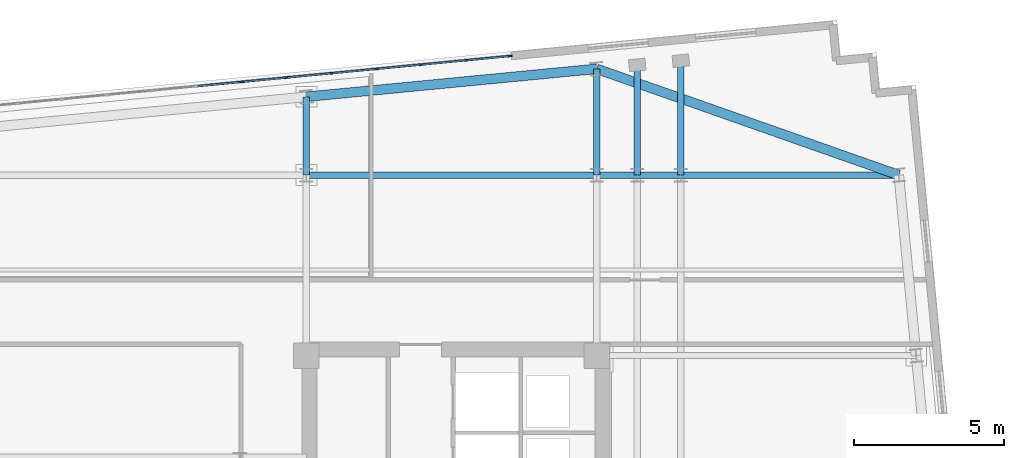
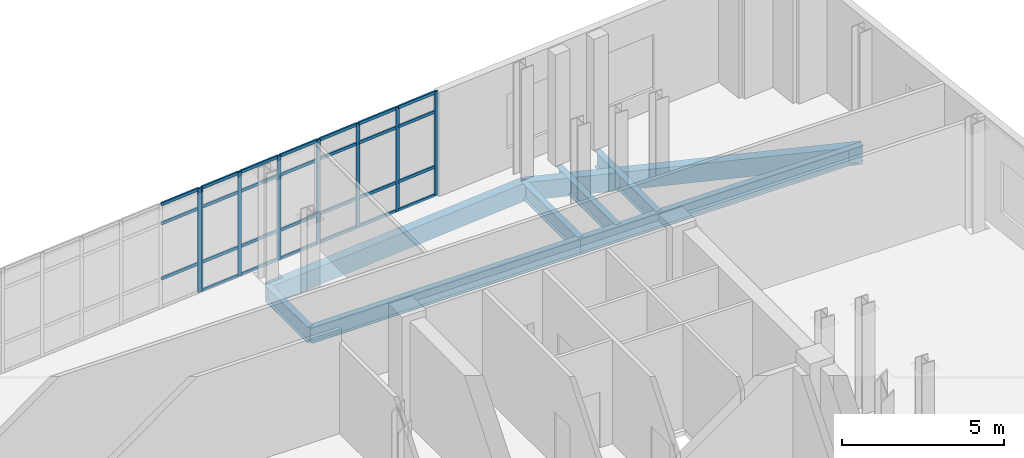
# One storey, part 4 of 11: 35 members, 8 beams, 2 elements without a shape of their own.
"""IFC4 building model written with IfcOpenShell, lengths in metres."""

import ifcopenshell
import ifcopenshell.guid

model = None  # the IFC model being written
_history = None  # IfcOwnerHistory: only IFC2X3 demands one
_inside = {}  # id of a spatial element -> (the spatial element, [elements in it])
_under = {}  # id of a project, library or spatial element -> (it, [spatial elements below it])
_declared = {}  # id of a project -> (the project, [libraries it declares])
_typed = {}  # id of a type object -> (the type object, [elements of that type])
_made_of = {}  # id of a material, layer set ... -> (it, [elements and type objects made of it])


def new_model(schema):
    """Start an empty IFC model of exactly this schema.

    Asked for "IFC4X3", IfcOpenShell would pick the latest addendum, in which some entities
    have other attributes; the version numbers below select the first issue.
    IFC2X3 requires an IfcOwnerHistory on every rooted entity: one is made here for all.
    """
    global model, _history
    if schema == "IFC4X3":
        model = ifcopenshell.file(schema_version=(4, 3, 0, 0))
    else:
        model = ifcopenshell.file(schema=schema)
    _inside.clear()
    _under.clear()
    _declared.clear()
    _typed.clear()
    _made_of.clear()
    _history = None
    if model.schema == "IFC2X3":
        org = make("IfcOrganization", Name="unknown")
        user = make(
            "IfcPersonAndOrganization",
            ThePerson=make("IfcPerson", FamilyName="unknown"),
            TheOrganization=org,
        )
        app = make(
            "IfcApplication",
            ApplicationDeveloper=org,
            Version="unknown",
            ApplicationFullName="unknown",
            ApplicationIdentifier="unknown",
        )
        _history = make(
            "IfcOwnerHistory",
            OwningUser=user,
            OwningApplication=app,
            ChangeAction="ADDED",
            CreationDate=0,
        )
    return model


def make(cls, **values):
    """One entity of the class cls with the attributes given. An attribute that is None is left unset."""
    return model.create_entity(
        cls, **{name: value for name, value in values.items() if value is not None}
    )


def rooted(cls, **values):
    """An entity with a GlobalId (a new one), such as an element, a storey or a relation."""
    return make(cls, GlobalId=ifcopenshell.guid.new(), OwnerHistory=_history, **values)


def si_unit(unit_type, name, prefix=None):
    """IfcSIUnit, for example si_unit("LENGTHUNIT", "METRE", prefix="MILLI")."""
    return make("IfcSIUnit", UnitType=unit_type, Prefix=prefix, Name=name)


def assignment(units):
    """IfcUnitAssignment: the units of a project."""
    return None if units is None else make("IfcUnitAssignment", Units=units)


def point(xyz):
    """IfcCartesianPoint."""
    return None if xyz is None else make("IfcCartesianPoint", Coordinates=xyz)


def direction(xyz):
    """IfcDirection."""
    return None if xyz is None else make("IfcDirection", DirectionRatios=xyz)


def frame(location, z_axis=None, x_axis=None):
    """IfcAxis2Placement3D, a coordinate frame: its origin and axes. An axis left out is left unset."""
    return make(
        "IfcAxis2Placement3D",
        Location=point(location),
        Axis=direction(z_axis),
        RefDirection=direction(x_axis),
    )


def frame_2d(location, x_axis=None):
    """IfcAxis2Placement2D, a coordinate frame in the plane: its origin and x axis."""
    return make(
        "IfcAxis2Placement2D", Location=point(location), RefDirection=direction(x_axis)
    )


def origin():
    """The frame at (0, 0, 0) with its axes left unset."""
    return frame((0.0, 0.0, 0.0))


def origin_2d():
    """The frame at (0, 0) in the plane with its x axis left unset."""
    return frame_2d((0.0, 0.0))


def place(relative_to, where):
    """IfcLocalPlacement: puts the frame where relative to a parent placement (None: the world)."""
    return make(
        "IfcLocalPlacement", PlacementRelTo=relative_to, RelativePlacement=where
    )


def context(
    kind, dimensions, precision=None, world=None, true_north=None, identifier=None
):
    """IfcGeometricRepresentationContext, for example the 3D "Model" context."""
    return make(
        "IfcGeometricRepresentationContext",
        ContextIdentifier=identifier,
        ContextType=kind,
        CoordinateSpaceDimension=dimensions,
        Precision=precision,
        WorldCoordinateSystem=world,
        TrueNorth=true_north,
    )


def subcontext(parent, identifier, kind, view, scale=None):
    """IfcGeometricRepresentationSubContext, for example "Body" below "Model"."""
    return make(
        "IfcGeometricRepresentationSubContext",
        ContextIdentifier=identifier,
        ContextType=kind,
        ParentContext=parent,
        TargetScale=scale,
        TargetView=view,
    )


def project(units=None, contexts=None):
    """IfcProject with its units and contexts."""
    return rooted(
        "IfcProject",
        Name="project",
        RepresentationContexts=contexts,
        UnitsInContext=assignment(units),
    )


def spatial(cls, under=None, at=None, **own):
    """A site, building, storey or space (cls), placed at a placement, below another one or the project."""
    s = rooted(cls, ObjectPlacement=at, **own)
    if under is not None:
        _under.setdefault(under.id(), (under, []))[1].append(s)
    return s


def profile(cls, at=None, kind="AREA", **sizes):
    """A parametric profile (cls). Its sizes go by their IFC names, for example OverallWidth=200.0."""
    return make(cls, ProfileType=kind, Position=at, **sizes)


def rectangle(**sizes):
    """IfcRectangleProfileDef."""
    return profile("IfcRectangleProfileDef", **sizes)


def i_section(**sizes):
    """IfcIShapeProfileDef."""
    return profile("IfcIShapeProfileDef", **sizes)


def extrude(swept, where, along, depth):
    """IfcExtrudedAreaSolid: the profile swept, set in the frame where, extruded along a direction by depth."""
    return make(
        "IfcExtrudedAreaSolid",
        SweptArea=swept,
        Position=where,
        ExtrudedDirection=direction(along),
        Depth=depth,
    )


def shape(context_of_items, identifier, shape_type, items):
    """IfcShapeRepresentation: the items that make up one representation, for example the "Body"."""
    return make(
        "IfcShapeRepresentation",
        ContextOfItems=context_of_items,
        RepresentationIdentifier=identifier,
        RepresentationType=shape_type,
        Items=items,
    )


def material(Name=None, Category=None):
    """IfcMaterial."""
    return make("IfcMaterial", Name=Name, Category=Category)


def layer(
    of_material, thickness, ventilated=None, Name=None, Category=None, Priority=None
):
    """IfcMaterialLayer: one layer of a wall or slab, of a material (None: an air gap)."""
    return make(
        "IfcMaterialLayer",
        Material=of_material,
        LayerThickness=thickness,
        IsVentilated=ventilated,
        Name=Name,
        Category=Category,
        Priority=Priority,
    )


def layer_set(layers, Name=None):
    """IfcMaterialLayerSet."""
    return make("IfcMaterialLayerSet", MaterialLayers=layers, LayerSetName=Name)


def material_profile(
    of_material, cross_section, Name=None, Category=None, Priority=None
):
    """IfcMaterialProfile: a cross section and its material."""
    return make(
        "IfcMaterialProfile",
        Name=Name,
        Material=of_material,
        Profile=cross_section,
        Priority=Priority,
        Category=Category,
    )


def profile_set(profiles, Name=None, composite=None):
    """IfcMaterialProfileSet."""
    return make(
        "IfcMaterialProfileSet",
        Name=Name,
        MaterialProfiles=profiles,
        CompositeProfile=composite,
    )


def made_of(thing, what):
    """Note that an element or type object is made of a material, layer set ...; save() writes the relation."""
    if what is not None:
        _made_of.setdefault(what.id(), (what, []))[1].append(thing)
    return thing


def type_object(cls, material=None, **own):
    """A type object (cls), such as IfcWallType, which elements share."""
    return made_of(rooted(cls, **own), material)


def element(
    cls,
    number,
    at=None,
    inside=None,
    cuts=None,
    type_object=None,
    material=None,
    context=None,
    identifier="Body",
    shape_type=None,
    held_by="IfcProductDefinitionShape",
    body=None,
    shapes=None,
    **own,
):
    """One element of the class cls, such as IfcWall. Its Tag is "e" and its number.

    at: its placement. inside: the storey or other place that contains it. cuts: it is an
    opening in that element (IfcRelVoidsElement). A single representation is given by context,
    identifier, shape_type and body (its items); several are given by shapes. held_by: the class
    of the entity that holds the representations. save() writes the other relations.
    """
    e = rooted(cls, Tag="e%d" % number, ObjectPlacement=at, **own)
    if body is not None:
        shapes = [shape(context, identifier, shape_type, body)]
    if shapes is not None:
        e.Representation = make(held_by, Representations=shapes)
    if inside is not None:
        _inside.setdefault(inside.id(), (inside, []))[1].append(e)
    if cuts is not None:
        rooted(
            "IfcRelVoidsElement", RelatingBuildingElement=cuts, RelatedOpeningElement=e
        )
    if type_object is not None:
        _typed.setdefault(type_object.id(), (type_object, []))[1].append(e)
    return made_of(e, material)


def aggregate(whole, parts):
    """IfcRelAggregates: a whole, such as a stair, and the parts it consists of."""
    return rooted("IfcRelAggregates", RelatingObject=whole, RelatedObjects=parts)


def save(model, path):
    """Write the relations noted so far, then the file.

    IfcRelAggregates (storeys below a building ...), IfcRelContainedInSpatialStructure (elements
    in a storey), IfcRelDefinesByType, IfcRelAssociatesMaterial and IfcRelDeclares: one each for
    every whole, place, type object, material and project.
    """
    for whole, parts in _under.values():
        aggregate(whole, parts)
    for where, things in _inside.values():
        rooted(
            "IfcRelContainedInSpatialStructure",
            RelatedElements=things,
            RelatingStructure=where,
        )
    for kind, things in _typed.values():
        rooted("IfcRelDefinesByType", RelatedObjects=things, RelatingType=kind)
    for what, things in _made_of.values():
        rooted("IfcRelAssociatesMaterial", RelatedObjects=things, RelatingMaterial=what)
    for by, libraries in _declared.values():
        rooted("IfcRelDeclares", RelatingContext=by, RelatedDefinitions=libraries)
    model.write(path)


model = new_model("IFC4")

# Units and contexts
model_context = context("Model", 3, precision=1e-05, world=origin(), true_north=direction((0.0, 1.0)))
body_context = subcontext(model_context, "Body", "Model", "MODEL_VIEW")
ifc_project = project(units=[si_unit("LENGTHUNIT", "METRE"), si_unit("AREAUNIT", "SQUARE_METRE"), si_unit("VOLUMEUNIT", "CUBIC_METRE"), si_unit("PLANEANGLEUNIT", "RADIAN"), si_unit("MASSUNIT", "GRAM", prefix="KILO")], contexts=[model_context])

# Site, building, storey
site_placement = place(None, origin())
site = spatial("IfcSite", under=ifc_project, at=site_placement, CompositionType="ELEMENT")
building_placement = place(site_placement, origin())
building = spatial("IfcBuilding", under=site, at=building_placement, Name="Velakula Bourse", CompositionType="ELEMENT")
storey_placement = place(building_placement, frame((0.0, 0.0, 282.75)))
storey = spatial("IfcBuildingStorey", under=building, at=storey_placement, Name="L77", CompositionType="ELEMENT", Elevation=282.75)

# Beams
ifc_material_1 = material(Name="Steel IS 2062 Grade 350 (E350)", Category="steel")
ifc_material_profile_1 = material_profile(ifc_material_1, i_section(OverallWidth=0.2099609375, OverallDepth=0.60009765625, WebThickness=0.011962890625, FlangeThickness=0.020751953125, at=origin_2d()), Name="Steel IS 2062 Grade 350 (E350)")
ifc_profile_set_1 = profile_set([ifc_material_profile_1], Name="Steel IS 2062 Grade 350 (E350)")
beam_type_1 = type_object("IfcBeamType", Name="BM-GRD-600L", PredefinedType="BEAM", material=ifc_profile_set_1)
beam_1_placement = place(storey_placement, frame((8.949951171875, 14.60009765625, -0.47998046875), z_axis=(1.0, 0.0, 0.0), x_axis=(0.0, 1.0, 0.0)))
element("IfcBeam", 1, at=beam_1_placement, inside=storey, type_object=beam_type_1, Name="L77 Fulcrum Grid Girder FLC-N3", PredefinedType="BEAM", context=body_context, shape_type="SweptSolid", body=[
    extrude(i_section(OverallWidth=0.2099609375, OverallDepth=0.60009765625, WebThickness=0.011962890625, FlangeThickness=0.020751953125, at=origin_2d()), origin(), (0.0, 0.0, 1.0), 9.650146484375),
])
beam_2_placement = place(storey_placement, frame((8.949951171875, 14.60009765625, -0.47998046875), z_axis=(0.0, 1.0, 0.0), x_axis=(-1.0, 0.0, 0.0)))
element("IfcBeam", 2, at=beam_2_placement, inside=storey, type_object=beam_type_1, Name="L77 Perimeter Tie Girder N3", PredefinedType="BEAM", context=body_context, shape_type="SweptSolid", body=[
    extrude(i_section(OverallWidth=0.2099609375, OverallDepth=0.60009765625, WebThickness=0.011962890625, FlangeThickness=0.020751953125, at=origin_2d()), origin(), (0.0, 0.0, 1.0), 2.6044921875),
])
beam_3_placement = place(storey_placement, frame((18.60009765625, 14.60009765625, -0.47998046875), z_axis=(0.0, 1.0, 0.0), x_axis=(-1.0, 0.0, 0.0)))
element("IfcBeam", 3, at=beam_3_placement, inside=storey, type_object=beam_type_1, Name="L77 Perimeter Tie Girder N4", PredefinedType="BEAM", context=body_context, shape_type="SweptSolid", body=[
    extrude(i_section(OverallWidth=0.2099609375, OverallDepth=0.60009765625, WebThickness=0.011962890625, FlangeThickness=0.020751953125, at=origin_2d()), origin(), (0.0, 0.0, 1.0), 3.53369140625),
])
beam_4_placement = place(storey_placement, frame((18.60009765625, 14.60009765625, -0.47998046875), z_axis=(1.0, 0.0, 0.0), x_axis=(0.0, 1.0, 0.0)))
element("IfcBeam", 4, at=beam_4_placement, inside=storey, type_object=beam_type_1, Name="L77 Perimeter Tie Girder E4", PredefinedType="BEAM", context=body_context, shape_type="SweptSolid", body=[
    extrude(i_section(OverallWidth=0.2099609375, OverallDepth=0.60009765625, WebThickness=0.011962890625, FlangeThickness=0.020751953125, at=origin_2d()), origin(), (0.0, 0.0, 1.0), 10.044921875),
])
beam_5_placement = place(storey_placement, frame((19.949951171875, 14.60009765625, -0.47998046875), z_axis=(0.0, 1.0, 0.0), x_axis=(-1.0, 0.0, 0.0)))
element("IfcBeam", 5, at=beam_5_placement, inside=storey, type_object=beam_type_1, Name="L77 Perimeter Tie Girder P07", PredefinedType="BEAM", context=body_context, shape_type="SweptSolid", body=[
    extrude(i_section(OverallWidth=0.2099609375, OverallDepth=0.60009765625, WebThickness=0.011962890625, FlangeThickness=0.020751953125, at=origin_2d()), origin(), (0.0, 0.0, 1.0), 3.66357421875),
])
beam_6_placement = place(storey_placement, frame((21.39990234375, 14.60009765625, -0.47998046875), z_axis=(0.0, 1.0, 0.0), x_axis=(-1.0, 0.0, 0.0)))
element("IfcBeam", 6, at=beam_6_placement, inside=storey, type_object=beam_type_1, Name="L77 Perimeter Tie Girder P08", PredefinedType="BEAM", context=body_context, shape_type="SweptSolid", body=[
    extrude(i_section(OverallWidth=0.2099609375, OverallDepth=0.60009765625, WebThickness=0.011962890625, FlangeThickness=0.020751953125, at=origin_2d()), origin(), (0.0, 0.0, 1.0), 3.80322265625),
])

# Curtain wall, member
ifc_material_2 = material(Name="Anodised bronze architectural aluminium", Category="aluminium")
ifc_layer = layer(ifc_material_2, 0.1298828125, Name="Anodised bronze architectural aluminium", Category="aluminium")
ifc_layer_set = layer_set([ifc_layer], Name="Anodised bronze architectural aluminium")
curtain_wall_type = type_object("IfcCurtainWallType", Name="CW-OB1", PredefinedType="NOTDEFINED", material=ifc_layer_set)
curtain_wall_1_placement = place(storey_placement, origin())
curtain_wall_1 = element("IfcCurtainWall", 7, at=curtain_wall_1_placement, inside=storey, type_object=curtain_wall_type, Name="L77 Public Observation Panoramic Curtain Wall B3", PredefinedType="NOTDEFINED")
ifc_material_profile_2 = material_profile(ifc_material_2, rectangle(XDim=0.06005859375, YDim=0.1298828125, at=origin_2d()), Name="Anodised bronze architectural aluminium")
ifc_profile_set_2 = profile_set([ifc_material_profile_2], Name="Anodised bronze architectural aluminium")
member_type_1 = type_object("IfcMemberType", Name="MUL-CW-OB1", PredefinedType="MULLION", material=ifc_profile_set_2)
member_1_placement = place(storey_placement, frame((6.767333984375, 17.697509765625, 0.0), z_axis=(0.0, 0.0, 1.0), x_axis=(-0.095844093769, 0.995396358085, 0.0)))
member_1 = element("IfcMember", 8, at=member_1_placement, type_object=member_type_1, Name="CW-OB1 mullion 7", PredefinedType="MULLION", context=body_context, shape_type="SweptSolid", body=[
    extrude(rectangle(XDim=0.06005859375, YDim=0.1298828125, at=origin_2d()), origin(), (0.0, 0.0, 1.0), 3.929931640625),
])

# Curtain wall, members
curtain_wall_2_placement = place(storey_placement, origin())
curtain_wall_2 = element("IfcCurtainWall", 9, at=curtain_wall_2_placement, inside=storey, type_object=curtain_wall_type, Name="L77 Public Observation Panoramic Curtain Wall B4", PredefinedType="NOTDEFINED")
member_2_placement = place(storey_placement, frame((6.8271484375, 17.703369140625, 0.0), z_axis=(0.0, 0.0, 1.0), x_axis=(-0.095844093769, 0.995396358085, 0.0)))
member_2 = element("IfcMember", 10, at=member_2_placement, type_object=member_type_1, Name="CW-OB1 mullion 1", PredefinedType="MULLION", context=body_context, shape_type="SweptSolid", body=[
    extrude(rectangle(XDim=0.06005859375, YDim=0.1298828125, at=origin_2d()), origin(), (0.0, 0.0, 1.0), 3.929931640625),
])
member_3_placement = place(storey_placement, frame((8.290283203125, 17.84423828125, 0.0), z_axis=(0.0, 0.0, 1.0), x_axis=(-0.095844093769, 0.995396358085, 0.0)))
member_3 = element("IfcMember", 11, at=member_3_placement, type_object=member_type_1, Name="CW-OB1 mullion 2", PredefinedType="MULLION", context=body_context, shape_type="SweptSolid", body=[
    extrude(rectangle(XDim=0.06005859375, YDim=0.1298828125, at=origin_2d()), origin(), (0.0, 0.0, 1.0), 3.929931640625),
])
member_4_placement = place(storey_placement, frame((9.783447265625, 17.988037109375, 0.0), z_axis=(0.0, 0.0, 1.0), x_axis=(-0.095844093769, 0.995396358085, 0.0)))
member_4 = element("IfcMember", 12, at=member_4_placement, type_object=member_type_1, Name="CW-OB1 mullion 3", PredefinedType="MULLION", context=body_context, shape_type="SweptSolid", body=[
    extrude(rectangle(XDim=0.06005859375, YDim=0.1298828125, at=origin_2d()), origin(), (0.0, 0.0, 1.0), 3.929931640625),
])
member_5_placement = place(storey_placement, frame((11.276611328125, 18.1318359375, 0.0), z_axis=(0.0, 0.0, 1.0), x_axis=(-0.095844093769, 0.995396358085, 0.0)))
member_5 = element("IfcMember", 13, at=member_5_placement, type_object=member_type_1, Name="CW-OB1 mullion 4", PredefinedType="MULLION", context=body_context, shape_type="SweptSolid", body=[
    extrude(rectangle(XDim=0.06005859375, YDim=0.1298828125, at=origin_2d()), origin(), (0.0, 0.0, 1.0), 3.929931640625),
])
member_6_placement = place(storey_placement, frame((12.76953125, 18.275634765625, 0.0), z_axis=(0.0, 0.0, 1.0), x_axis=(-0.095844093769, 0.995396358085, 0.0)))
member_6 = element("IfcMember", 14, at=member_6_placement, type_object=member_type_1, Name="CW-OB1 mullion 5", PredefinedType="MULLION", context=body_context, shape_type="SweptSolid", body=[
    extrude(rectangle(XDim=0.06005859375, YDim=0.1298828125, at=origin_2d()), origin(), (0.0, 0.0, 1.0), 3.929931640625),
])
member_7_placement = place(storey_placement, frame((14.2626953125, 18.41943359375, 0.0), z_axis=(0.0, 0.0, 1.0), x_axis=(-0.095844093769, 0.995396358085, 0.0)))
member_7 = element("IfcMember", 15, at=member_7_placement, type_object=member_type_1, Name="CW-OB1 mullion 6", PredefinedType="MULLION", context=body_context, shape_type="SweptSolid", body=[
    extrude(rectangle(XDim=0.06005859375, YDim=0.1298828125, at=origin_2d()), origin(), (0.0, 0.0, 1.0), 3.929931640625),
])
member_8_placement = place(storey_placement, frame((15.725830078125, 18.560302734375, 0.0), z_axis=(0.0, 0.0, 1.0), x_axis=(-0.095844093769, 0.995396358085, 0.0)))
member_8 = element("IfcMember", 16, at=member_8_placement, type_object=member_type_1, Name="CW-OB1 mullion 7", PredefinedType="MULLION", context=body_context, shape_type="SweptSolid", body=[
    extrude(rectangle(XDim=0.06005859375, YDim=0.1298828125, at=origin_2d()), origin(), (0.0, 0.0, 1.0), 3.929931640625),
])

# Beams
ifc_material_3 = material(Name="Precast concrete M45 (fck 45 MPa)", Category="concrete")
ifc_material_profile_3 = material_profile(ifc_material_3, rectangle(XDim=0.320068359375, YDim=0.679931640625, at=origin_2d()), Name="Precast concrete M45 (fck 45 MPa)")
ifc_profile_set_3 = profile_set([ifc_material_profile_3], Name="Precast concrete M45 (fck 45 MPa)")
beam_type_2 = type_object("IfcBeamType", Name="SPN-BRICK-680", PredefinedType="SPANDREL", material=ifc_profile_set_3)
beam_7_placement = place(storey_placement, frame((8.949951171875, 17.20458984375, -0.52001953125), z_axis=(0.99539623971, 0.095845323155, 0.0), x_axis=(-0.095845323155, 0.99539623971, 0.0)))
element("IfcBeam", 17, at=beam_7_placement, inside=storey, type_object=beam_type_2, Name="L77 Brick-Faced Precast Spandrel N3-N4", PredefinedType="SPANDREL", context=body_context, shape_type="SweptSolid", body=[
    extrude(rectangle(XDim=0.320068359375, YDim=0.679931640625, at=origin_2d()), origin(), (0.0, 0.0, 1.0), 9.69482421875),
])
beam_8_placement = place(storey_placement, frame((28.64501953125, 14.60009765625, -0.52001953125), z_axis=(-0.943331000058, 0.331853317491, 0.0), x_axis=(-0.331853317491, -0.943331000058, 0.0)))
element("IfcBeam", 18, at=beam_8_placement, inside=storey, type_object=beam_type_2, Name="L77 Brick-Faced Precast Spandrel E4-N4", PredefinedType="SPANDREL", context=body_context, shape_type="SweptSolid", body=[
    extrude(rectangle(XDim=0.320068359375, YDim=0.679931640625, at=origin_2d()), origin(), (0.0, 0.0, 1.0), 10.6484375),
])

# Member
ifc_material_profile_4 = material_profile(ifc_material_2, rectangle(XDim=0.06005859375, YDim=0.114990234375, at=origin_2d()), Name="Anodised bronze architectural aluminium")
ifc_profile_set_4 = profile_set([ifc_material_profile_4], Name="Anodised bronze architectural aluminium")
member_type_2 = type_object("IfcMemberType", Name="TRN-CW-OB1", PredefinedType="USERDEFINED", material=ifc_profile_set_4)
member_9_placement = place(storey_placement, frame((5.333984375, 17.5595703125, 1.10009765625), z_axis=(0.995389022244, 0.095920250187, 0.0), x_axis=(-0.095920250187, 0.995389022244, 0.0)))
member_9 = element("IfcMember", 19, at=member_9_placement, type_object=member_type_2, Name="CW-OB1 transom 6.2", ObjectType="TRANSOM", PredefinedType="USERDEFINED", context=body_context, shape_type="SweptSolid", body=[
    extrude(rectangle(XDim=0.06005859375, YDim=0.114990234375, at=origin_2d()), origin(), (0.0, 0.0, 1.0), 1.41015625),
])

member_10_placement = place(storey_placement, frame((5.333984375, 17.5595703125, 3.179931640625), z_axis=(0.995389022244, 0.095920250187, 0.0), x_axis=(-0.095920250187, 0.995389022244, 0.0)))
member_10 = element("IfcMember", 20, at=member_10_placement, type_object=member_type_2, Name="CW-OB1 transom 6.3", ObjectType="TRANSOM", PredefinedType="USERDEFINED", context=body_context, shape_type="SweptSolid", body=[
    extrude(rectangle(XDim=0.06005859375, YDim=0.114990234375, at=origin_2d()), origin(), (0.0, 0.0, 1.0), 1.41015625),
])

member_11_placement = place(storey_placement, frame((5.333984375, 17.5595703125, 3.89990234375), z_axis=(0.995389022244, 0.095920250187, 0.0), x_axis=(-0.095920250187, 0.995389022244, 0.0)))
member_11 = element("IfcMember", 21, at=member_11_placement, type_object=member_type_2, Name="CW-OB1 transom 6.4", ObjectType="TRANSOM", PredefinedType="USERDEFINED", context=body_context, shape_type="SweptSolid", body=[
    extrude(rectangle(XDim=0.06005859375, YDim=0.114990234375, at=origin_2d()), origin(), (0.0, 0.0, 1.0), 1.41015625),
])

aggregate(curtain_wall_1, [member_1, member_9, member_10, member_11])

member_12_placement = place(storey_placement, frame((6.85693359375, 17.706298828125, 0.030029296875), z_axis=(0.995405538909, 0.095748697689, 0.0), x_axis=(-0.095748697689, 0.995405538909, 0.0)))
member_12 = element("IfcMember", 22, at=member_12_placement, type_object=member_type_2, Name="CW-OB1 transom 1.1", ObjectType="TRANSOM", PredefinedType="USERDEFINED", context=body_context, shape_type="SweptSolid", body=[
    extrude(rectangle(XDim=0.06005859375, YDim=0.114990234375, at=origin_2d()), origin(), (0.0, 0.0, 1.0), 1.41015625),
])

member_13_placement = place(storey_placement, frame((6.85693359375, 17.706298828125, 1.10009765625), z_axis=(0.995405538909, 0.095748697689, 0.0), x_axis=(-0.095748697689, 0.995405538909, 0.0)))
member_13 = element("IfcMember", 23, at=member_13_placement, type_object=member_type_2, Name="CW-OB1 transom 1.2", ObjectType="TRANSOM", PredefinedType="USERDEFINED", context=body_context, shape_type="SweptSolid", body=[
    extrude(rectangle(XDim=0.06005859375, YDim=0.114990234375, at=origin_2d()), origin(), (0.0, 0.0, 1.0), 1.41015625),
])

member_14_placement = place(storey_placement, frame((6.85693359375, 17.706298828125, 3.179931640625), z_axis=(0.995405538909, 0.095748697689, 0.0), x_axis=(-0.095748697689, 0.995405538909, 0.0)))
member_14 = element("IfcMember", 24, at=member_14_placement, type_object=member_type_2, Name="CW-OB1 transom 1.3", ObjectType="TRANSOM", PredefinedType="USERDEFINED", context=body_context, shape_type="SweptSolid", body=[
    extrude(rectangle(XDim=0.06005859375, YDim=0.114990234375, at=origin_2d()), origin(), (0.0, 0.0, 1.0), 1.41015625),
])

member_15_placement = place(storey_placement, frame((6.85693359375, 17.706298828125, 3.89990234375), z_axis=(0.995405538909, 0.095748697689, 0.0), x_axis=(-0.095748697689, 0.995405538909, 0.0)))
member_15 = element("IfcMember", 25, at=member_15_placement, type_object=member_type_2, Name="CW-OB1 transom 1.4", ObjectType="TRANSOM", PredefinedType="USERDEFINED", context=body_context, shape_type="SweptSolid", body=[
    extrude(rectangle(XDim=0.06005859375, YDim=0.114990234375, at=origin_2d()), origin(), (0.0, 0.0, 1.0), 1.41015625),
])

member_16_placement = place(storey_placement, frame((8.320068359375, 17.84716796875, 0.030029296875), z_axis=(0.99540125991, 0.095793171836, 0.0), x_axis=(-0.095793171836, 0.99540125991, 0.0)))
member_16 = element("IfcMember", 26, at=member_16_placement, type_object=member_type_2, Name="CW-OB1 transom 2.1", ObjectType="TRANSOM", PredefinedType="USERDEFINED", context=body_context, shape_type="SweptSolid", body=[
    extrude(rectangle(XDim=0.06005859375, YDim=0.114990234375, at=origin_2d()), origin(), (0.0, 0.0, 1.0), 1.43994140625),
])

member_17_placement = place(storey_placement, frame((8.320068359375, 17.84716796875, 1.10009765625), z_axis=(0.99540125991, 0.095793171836, 0.0), x_axis=(-0.095793171836, 0.99540125991, 0.0)))
member_17 = element("IfcMember", 27, at=member_17_placement, type_object=member_type_2, Name="CW-OB1 transom 2.2", ObjectType="TRANSOM", PredefinedType="USERDEFINED", context=body_context, shape_type="SweptSolid", body=[
    extrude(rectangle(XDim=0.06005859375, YDim=0.114990234375, at=origin_2d()), origin(), (0.0, 0.0, 1.0), 1.43994140625),
])

member_18_placement = place(storey_placement, frame((8.320068359375, 17.84716796875, 3.179931640625), z_axis=(0.99540125991, 0.095793171836, 0.0), x_axis=(-0.095793171836, 0.99540125991, 0.0)))
member_18 = element("IfcMember", 28, at=member_18_placement, type_object=member_type_2, Name="CW-OB1 transom 2.3", ObjectType="TRANSOM", PredefinedType="USERDEFINED", context=body_context, shape_type="SweptSolid", body=[
    extrude(rectangle(XDim=0.06005859375, YDim=0.114990234375, at=origin_2d()), origin(), (0.0, 0.0, 1.0), 1.43994140625),
])

member_19_placement = place(storey_placement, frame((8.320068359375, 17.84716796875, 3.89990234375), z_axis=(0.99540125991, 0.095793171836, 0.0), x_axis=(-0.095793171836, 0.99540125991, 0.0)))
member_19 = element("IfcMember", 29, at=member_19_placement, type_object=member_type_2, Name="CW-OB1 transom 2.4", ObjectType="TRANSOM", PredefinedType="USERDEFINED", context=body_context, shape_type="SweptSolid", body=[
    extrude(rectangle(XDim=0.06005859375, YDim=0.114990234375, at=origin_2d()), origin(), (0.0, 0.0, 1.0), 1.43994140625),
])

member_20_placement = place(storey_placement, frame((9.813232421875, 17.990966796875, 0.030029296875), z_axis=(0.99540125991, 0.095793171836, 0.0), x_axis=(-0.095793171836, 0.99540125991, 0.0)))
member_20 = element("IfcMember", 30, at=member_20_placement, type_object=member_type_2, Name="CW-OB1 transom 3.1", ObjectType="TRANSOM", PredefinedType="USERDEFINED", context=body_context, shape_type="SweptSolid", body=[
    extrude(rectangle(XDim=0.06005859375, YDim=0.114990234375, at=origin_2d()), origin(), (0.0, 0.0, 1.0), 1.43994140625),
])

member_21_placement = place(storey_placement, frame((9.813232421875, 17.990966796875, 1.10009765625), z_axis=(0.99540125991, 0.095793171836, 0.0), x_axis=(-0.095793171836, 0.99540125991, 0.0)))
member_21 = element("IfcMember", 31, at=member_21_placement, type_object=member_type_2, Name="CW-OB1 transom 3.2", ObjectType="TRANSOM", PredefinedType="USERDEFINED", context=body_context, shape_type="SweptSolid", body=[
    extrude(rectangle(XDim=0.06005859375, YDim=0.114990234375, at=origin_2d()), origin(), (0.0, 0.0, 1.0), 1.43994140625),
])

member_22_placement = place(storey_placement, frame((9.813232421875, 17.990966796875, 3.179931640625), z_axis=(0.99540125991, 0.095793171836, 0.0), x_axis=(-0.095793171836, 0.99540125991, 0.0)))
member_22 = element("IfcMember", 32, at=member_22_placement, type_object=member_type_2, Name="CW-OB1 transom 3.3", ObjectType="TRANSOM", PredefinedType="USERDEFINED", context=body_context, shape_type="SweptSolid", body=[
    extrude(rectangle(XDim=0.06005859375, YDim=0.114990234375, at=origin_2d()), origin(), (0.0, 0.0, 1.0), 1.43994140625),
])

member_23_placement = place(storey_placement, frame((9.813232421875, 17.990966796875, 3.89990234375), z_axis=(0.99540125991, 0.095793171836, 0.0), x_axis=(-0.095793171836, 0.99540125991, 0.0)))
member_23 = element("IfcMember", 33, at=member_23_placement, type_object=member_type_2, Name="CW-OB1 transom 3.4", ObjectType="TRANSOM", PredefinedType="USERDEFINED", context=body_context, shape_type="SweptSolid", body=[
    extrude(rectangle(XDim=0.06005859375, YDim=0.114990234375, at=origin_2d()), origin(), (0.0, 0.0, 1.0), 1.43994140625),
])

member_24_placement = place(storey_placement, frame((11.306396484375, 18.134765625, 0.030029296875), z_axis=(0.99540125991, 0.095793171836, 0.0), x_axis=(-0.095793171836, 0.99540125991, 0.0)))
member_24 = element("IfcMember", 34, at=member_24_placement, type_object=member_type_2, Name="CW-OB1 transom 4.1", ObjectType="TRANSOM", PredefinedType="USERDEFINED", context=body_context, shape_type="SweptSolid", body=[
    extrude(rectangle(XDim=0.06005859375, YDim=0.114990234375, at=origin_2d()), origin(), (0.0, 0.0, 1.0), 1.43994140625),
])

member_25_placement = place(storey_placement, frame((11.306396484375, 18.134765625, 1.10009765625), z_axis=(0.99540125991, 0.095793171836, 0.0), x_axis=(-0.095793171836, 0.99540125991, 0.0)))
member_25 = element("IfcMember", 35, at=member_25_placement, type_object=member_type_2, Name="CW-OB1 transom 4.2", ObjectType="TRANSOM", PredefinedType="USERDEFINED", context=body_context, shape_type="SweptSolid", body=[
    extrude(rectangle(XDim=0.06005859375, YDim=0.114990234375, at=origin_2d()), origin(), (0.0, 0.0, 1.0), 1.43994140625),
])

member_26_placement = place(storey_placement, frame((11.306396484375, 18.134765625, 3.179931640625), z_axis=(0.99540125991, 0.095793171836, 0.0), x_axis=(-0.095793171836, 0.99540125991, 0.0)))
member_26 = element("IfcMember", 36, at=member_26_placement, type_object=member_type_2, Name="CW-OB1 transom 4.3", ObjectType="TRANSOM", PredefinedType="USERDEFINED", context=body_context, shape_type="SweptSolid", body=[
    extrude(rectangle(XDim=0.06005859375, YDim=0.114990234375, at=origin_2d()), origin(), (0.0, 0.0, 1.0), 1.43994140625),
])

member_27_placement = place(storey_placement, frame((11.306396484375, 18.134765625, 3.89990234375), z_axis=(0.99540125991, 0.095793171836, 0.0), x_axis=(-0.095793171836, 0.99540125991, 0.0)))
member_27 = element("IfcMember", 37, at=member_27_placement, type_object=member_type_2, Name="CW-OB1 transom 4.4", ObjectType="TRANSOM", PredefinedType="USERDEFINED", context=body_context, shape_type="SweptSolid", body=[
    extrude(rectangle(XDim=0.06005859375, YDim=0.114990234375, at=origin_2d()), origin(), (0.0, 0.0, 1.0), 1.43994140625),
])

member_28_placement = place(storey_placement, frame((12.799560546875, 18.2783203125, 0.030029296875), z_axis=(0.995385079392, 0.095961157373, 0.0), x_axis=(-0.095961157373, 0.995385079392, 0.0)))
member_28 = element("IfcMember", 38, at=member_28_placement, type_object=member_type_2, Name="CW-OB1 transom 5.1", ObjectType="TRANSOM", PredefinedType="USERDEFINED", context=body_context, shape_type="SweptSolid", body=[
    extrude(rectangle(XDim=0.06005859375, YDim=0.114990234375, at=origin_2d()), origin(), (0.0, 0.0, 1.0), 1.43994140625),
])

member_29_placement = place(storey_placement, frame((12.799560546875, 18.2783203125, 1.10009765625), z_axis=(0.995385079392, 0.095961157373, 0.0), x_axis=(-0.095961157373, 0.995385079392, 0.0)))
member_29 = element("IfcMember", 39, at=member_29_placement, type_object=member_type_2, Name="CW-OB1 transom 5.2", ObjectType="TRANSOM", PredefinedType="USERDEFINED", context=body_context, shape_type="SweptSolid", body=[
    extrude(rectangle(XDim=0.06005859375, YDim=0.114990234375, at=origin_2d()), origin(), (0.0, 0.0, 1.0), 1.43994140625),
])

member_30_placement = place(storey_placement, frame((12.799560546875, 18.2783203125, 3.179931640625), z_axis=(0.995385079392, 0.095961157373, 0.0), x_axis=(-0.095961157373, 0.995385079392, 0.0)))
member_30 = element("IfcMember", 40, at=member_30_placement, type_object=member_type_2, Name="CW-OB1 transom 5.3", ObjectType="TRANSOM", PredefinedType="USERDEFINED", context=body_context, shape_type="SweptSolid", body=[
    extrude(rectangle(XDim=0.06005859375, YDim=0.114990234375, at=origin_2d()), origin(), (0.0, 0.0, 1.0), 1.43994140625),
])

member_31_placement = place(storey_placement, frame((12.799560546875, 18.2783203125, 3.89990234375), z_axis=(0.995385079392, 0.095961157373, 0.0), x_axis=(-0.095961157373, 0.995385079392, 0.0)))
member_31 = element("IfcMember", 41, at=member_31_placement, type_object=member_type_2, Name="CW-OB1 transom 5.4", ObjectType="TRANSOM", PredefinedType="USERDEFINED", context=body_context, shape_type="SweptSolid", body=[
    extrude(rectangle(XDim=0.06005859375, YDim=0.114990234375, at=origin_2d()), origin(), (0.0, 0.0, 1.0), 1.43994140625),
])

member_32_placement = place(storey_placement, frame((14.29248046875, 18.422119140625, 0.030029296875), z_axis=(0.995389022244, 0.095920250187, 0.0), x_axis=(-0.095920250187, 0.995389022244, 0.0)))
member_32 = element("IfcMember", 42, at=member_32_placement, type_object=member_type_2, Name="CW-OB1 transom 6.1", ObjectType="TRANSOM", PredefinedType="USERDEFINED", context=body_context, shape_type="SweptSolid", body=[
    extrude(rectangle(XDim=0.06005859375, YDim=0.114990234375, at=origin_2d()), origin(), (0.0, 0.0, 1.0), 1.41015625),
])

member_33_placement = place(storey_placement, frame((14.29248046875, 18.422119140625, 1.10009765625), z_axis=(0.995389022244, 0.095920250187, 0.0), x_axis=(-0.095920250187, 0.995389022244, 0.0)))
member_33 = element("IfcMember", 43, at=member_33_placement, type_object=member_type_2, Name="CW-OB1 transom 6.2", ObjectType="TRANSOM", PredefinedType="USERDEFINED", context=body_context, shape_type="SweptSolid", body=[
    extrude(rectangle(XDim=0.06005859375, YDim=0.114990234375, at=origin_2d()), origin(), (0.0, 0.0, 1.0), 1.41015625),
])

member_34_placement = place(storey_placement, frame((14.29248046875, 18.422119140625, 3.179931640625), z_axis=(0.995389022244, 0.095920250187, 0.0), x_axis=(-0.095920250187, 0.995389022244, 0.0)))
member_34 = element("IfcMember", 44, at=member_34_placement, type_object=member_type_2, Name="CW-OB1 transom 6.3", ObjectType="TRANSOM", PredefinedType="USERDEFINED", context=body_context, shape_type="SweptSolid", body=[
    extrude(rectangle(XDim=0.06005859375, YDim=0.114990234375, at=origin_2d()), origin(), (0.0, 0.0, 1.0), 1.41015625),
])

member_35_placement = place(storey_placement, frame((14.29248046875, 18.422119140625, 3.89990234375), z_axis=(0.995389022244, 0.095920250187, 0.0), x_axis=(-0.095920250187, 0.995389022244, 0.0)))
member_35 = element("IfcMember", 45, at=member_35_placement, type_object=member_type_2, Name="CW-OB1 transom 6.4", ObjectType="TRANSOM", PredefinedType="USERDEFINED", context=body_context, shape_type="SweptSolid", body=[
    extrude(rectangle(XDim=0.06005859375, YDim=0.114990234375, at=origin_2d()), origin(), (0.0, 0.0, 1.0), 1.41015625),
])

aggregate(curtain_wall_2, [member_2, member_3, member_4, member_5, member_6, member_7, member_8, member_12, member_13, member_14, member_15, member_16, member_17, member_18, member_19, member_20, member_21, member_22, member_23, member_24, member_25, member_26, member_27, member_28, member_29, member_30, member_31, member_32, member_33, member_34, member_35])

save(model, "model.ifc")
